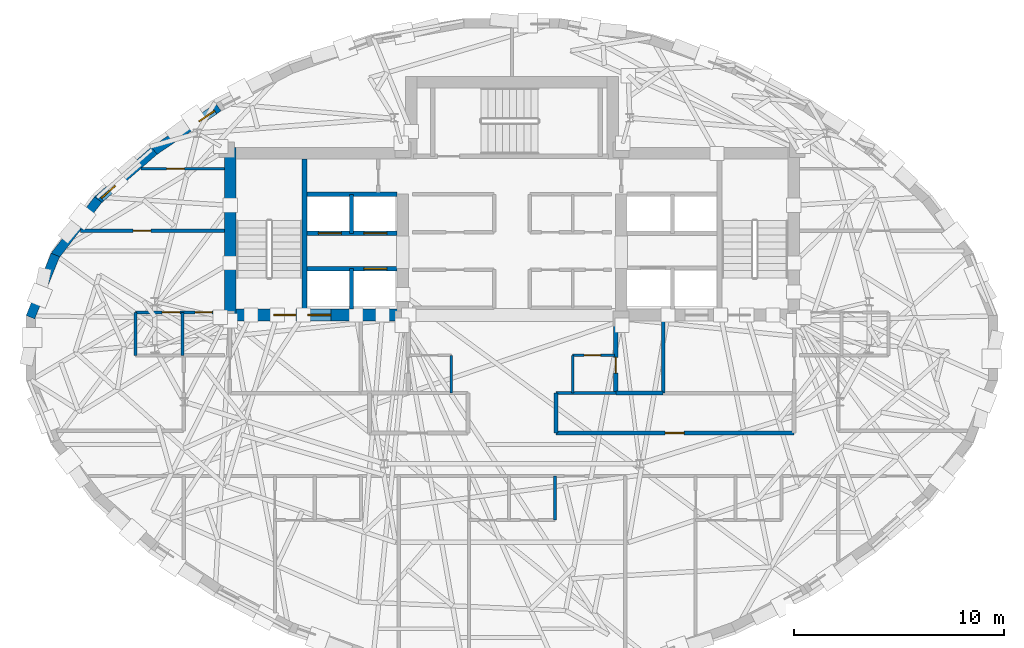
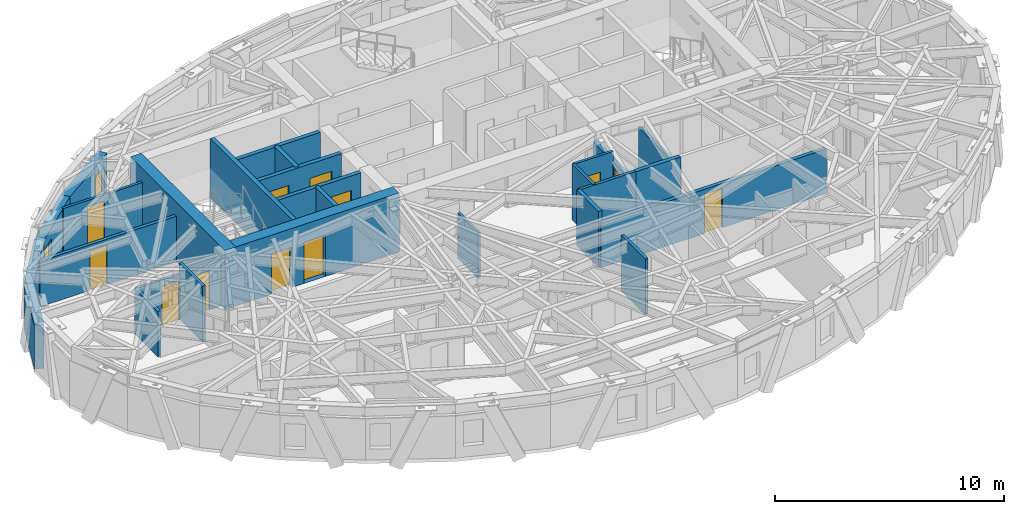
# One storey, part 7 of 13: 27 walls, 12 doors, 2 windows, 14 openings.
"""IFC4 building model written with IfcOpenShell, lengths in metres."""

import ifcopenshell
import ifcopenshell.guid

model = None  # the IFC model being written
_history = None  # IfcOwnerHistory: only IFC2X3 demands one
_inside = {}  # id of a spatial element -> (the spatial element, [elements in it])
_under = {}  # id of a project, library or spatial element -> (it, [spatial elements below it])
_declared = {}  # id of a project -> (the project, [libraries it declares])
_typed = {}  # id of a type object -> (the type object, [elements of that type])
_made_of = {}  # id of a material, layer set ... -> (it, [elements and type objects made of it])


def new_model(schema):
    """Start an empty IFC model of exactly this schema.

    Asked for "IFC4X3", IfcOpenShell would pick the latest addendum, in which some entities
    have other attributes; the version numbers below select the first issue.
    IFC2X3 requires an IfcOwnerHistory on every rooted entity: one is made here for all.
    """
    global model, _history
    if schema == "IFC4X3":
        model = ifcopenshell.file(schema_version=(4, 3, 0, 0))
    else:
        model = ifcopenshell.file(schema=schema)
    _inside.clear()
    _under.clear()
    _declared.clear()
    _typed.clear()
    _made_of.clear()
    _history = None
    if model.schema == "IFC2X3":
        org = make("IfcOrganization", Name="unknown")
        user = make(
            "IfcPersonAndOrganization",
            ThePerson=make("IfcPerson", FamilyName="unknown"),
            TheOrganization=org,
        )
        app = make(
            "IfcApplication",
            ApplicationDeveloper=org,
            Version="unknown",
            ApplicationFullName="unknown",
            ApplicationIdentifier="unknown",
        )
        _history = make(
            "IfcOwnerHistory",
            OwningUser=user,
            OwningApplication=app,
            ChangeAction="ADDED",
            CreationDate=0,
        )
    return model


def make(cls, **values):
    """One entity of the class cls with the attributes given. An attribute that is None is left unset."""
    return model.create_entity(
        cls, **{name: value for name, value in values.items() if value is not None}
    )


def rooted(cls, **values):
    """An entity with a GlobalId (a new one), such as an element, a storey or a relation."""
    return make(cls, GlobalId=ifcopenshell.guid.new(), OwnerHistory=_history, **values)


def si_unit(unit_type, name, prefix=None):
    """IfcSIUnit, for example si_unit("LENGTHUNIT", "METRE", prefix="MILLI")."""
    return make("IfcSIUnit", UnitType=unit_type, Prefix=prefix, Name=name)


def assignment(units):
    """IfcUnitAssignment: the units of a project."""
    return None if units is None else make("IfcUnitAssignment", Units=units)


def point(xyz):
    """IfcCartesianPoint."""
    return None if xyz is None else make("IfcCartesianPoint", Coordinates=xyz)


def direction(xyz):
    """IfcDirection."""
    return None if xyz is None else make("IfcDirection", DirectionRatios=xyz)


def frame(location, z_axis=None, x_axis=None):
    """IfcAxis2Placement3D, a coordinate frame: its origin and axes. An axis left out is left unset."""
    return make(
        "IfcAxis2Placement3D",
        Location=point(location),
        Axis=direction(z_axis),
        RefDirection=direction(x_axis),
    )


def frame_2d(location, x_axis=None):
    """IfcAxis2Placement2D, a coordinate frame in the plane: its origin and x axis."""
    return make(
        "IfcAxis2Placement2D", Location=point(location), RefDirection=direction(x_axis)
    )


def origin():
    """The frame at (0, 0, 0) with its axes left unset."""
    return frame((0.0, 0.0, 0.0))


def place(relative_to, where):
    """IfcLocalPlacement: puts the frame where relative to a parent placement (None: the world)."""
    return make(
        "IfcLocalPlacement", PlacementRelTo=relative_to, RelativePlacement=where
    )


def context(
    kind, dimensions, precision=None, world=None, true_north=None, identifier=None
):
    """IfcGeometricRepresentationContext, for example the 3D "Model" context."""
    return make(
        "IfcGeometricRepresentationContext",
        ContextIdentifier=identifier,
        ContextType=kind,
        CoordinateSpaceDimension=dimensions,
        Precision=precision,
        WorldCoordinateSystem=world,
        TrueNorth=true_north,
    )


def subcontext(parent, identifier, kind, view, scale=None):
    """IfcGeometricRepresentationSubContext, for example "Body" below "Model"."""
    return make(
        "IfcGeometricRepresentationSubContext",
        ContextIdentifier=identifier,
        ContextType=kind,
        ParentContext=parent,
        TargetScale=scale,
        TargetView=view,
    )


def project(units=None, contexts=None):
    """IfcProject with its units and contexts."""
    return rooted(
        "IfcProject",
        Name="project",
        RepresentationContexts=contexts,
        UnitsInContext=assignment(units),
    )


def spatial(cls, under=None, at=None, **own):
    """A site, building, storey or space (cls), placed at a placement, below another one or the project."""
    s = rooted(cls, ObjectPlacement=at, **own)
    if under is not None:
        _under.setdefault(under.id(), (under, []))[1].append(s)
    return s


def profile(cls, at=None, kind="AREA", **sizes):
    """A parametric profile (cls). Its sizes go by their IFC names, for example OverallWidth=200.0."""
    return make(cls, ProfileType=kind, Position=at, **sizes)


def rectangle(**sizes):
    """IfcRectangleProfileDef."""
    return profile("IfcRectangleProfileDef", **sizes)


def extrude(swept, where, along, depth):
    """IfcExtrudedAreaSolid: the profile swept, set in the frame where, extruded along a direction by depth."""
    return make(
        "IfcExtrudedAreaSolid",
        SweptArea=swept,
        Position=where,
        ExtrudedDirection=direction(along),
        Depth=depth,
    )


def shape(context_of_items, identifier, shape_type, items):
    """IfcShapeRepresentation: the items that make up one representation, for example the "Body"."""
    return make(
        "IfcShapeRepresentation",
        ContextOfItems=context_of_items,
        RepresentationIdentifier=identifier,
        RepresentationType=shape_type,
        Items=items,
    )


def material(Name=None, Category=None):
    """IfcMaterial."""
    return make("IfcMaterial", Name=Name, Category=Category)


def layer(
    of_material, thickness, ventilated=None, Name=None, Category=None, Priority=None
):
    """IfcMaterialLayer: one layer of a wall or slab, of a material (None: an air gap)."""
    return make(
        "IfcMaterialLayer",
        Material=of_material,
        LayerThickness=thickness,
        IsVentilated=ventilated,
        Name=Name,
        Category=Category,
        Priority=Priority,
    )


def layer_set(layers, Name=None):
    """IfcMaterialLayerSet."""
    return make("IfcMaterialLayerSet", MaterialLayers=layers, LayerSetName=Name)


def made_of(thing, what):
    """Note that an element or type object is made of a material, layer set ...; save() writes the relation."""
    if what is not None:
        _made_of.setdefault(what.id(), (what, []))[1].append(thing)
    return thing


def type_object(cls, material=None, **own):
    """A type object (cls), such as IfcWallType, which elements share."""
    return made_of(rooted(cls, **own), material)


def element(
    cls,
    number,
    at=None,
    inside=None,
    cuts=None,
    type_object=None,
    material=None,
    context=None,
    identifier="Body",
    shape_type=None,
    held_by="IfcProductDefinitionShape",
    body=None,
    shapes=None,
    **own,
):
    """One element of the class cls, such as IfcWall. Its Tag is "e" and its number.

    at: its placement. inside: the storey or other place that contains it. cuts: it is an
    opening in that element (IfcRelVoidsElement). A single representation is given by context,
    identifier, shape_type and body (its items); several are given by shapes. held_by: the class
    of the entity that holds the representations. save() writes the other relations.
    """
    e = rooted(cls, Tag="e%d" % number, ObjectPlacement=at, **own)
    if body is not None:
        shapes = [shape(context, identifier, shape_type, body)]
    if shapes is not None:
        e.Representation = make(held_by, Representations=shapes)
    if inside is not None:
        _inside.setdefault(inside.id(), (inside, []))[1].append(e)
    if cuts is not None:
        rooted(
            "IfcRelVoidsElement", RelatingBuildingElement=cuts, RelatedOpeningElement=e
        )
    if type_object is not None:
        _typed.setdefault(type_object.id(), (type_object, []))[1].append(e)
    return made_of(e, material)


def fill(opening, filler):
    """IfcRelFillsElement: the door or window that sits in an opening."""
    return rooted(
        "IfcRelFillsElement",
        RelatingOpeningElement=opening,
        RelatedBuildingElement=filler,
    )


def aggregate(whole, parts):
    """IfcRelAggregates: a whole, such as a stair, and the parts it consists of."""
    return rooted("IfcRelAggregates", RelatingObject=whole, RelatedObjects=parts)


def save(model, path):
    """Write the relations noted so far, then the file.

    IfcRelAggregates (storeys below a building ...), IfcRelContainedInSpatialStructure (elements
    in a storey), IfcRelDefinesByType, IfcRelAssociatesMaterial and IfcRelDeclares: one each for
    every whole, place, type object, material and project.
    """
    for whole, parts in _under.values():
        aggregate(whole, parts)
    for where, things in _inside.values():
        rooted(
            "IfcRelContainedInSpatialStructure",
            RelatedElements=things,
            RelatingStructure=where,
        )
    for kind, things in _typed.values():
        rooted("IfcRelDefinesByType", RelatedObjects=things, RelatingType=kind)
    for what, things in _made_of.values():
        rooted("IfcRelAssociatesMaterial", RelatedObjects=things, RelatingMaterial=what)
    for by, libraries in _declared.values():
        rooted("IfcRelDeclares", RelatingContext=by, RelatedDefinitions=libraries)
    model.write(path)


model = new_model("IFC4")

# Units and contexts
model_context = context("Model", 3, precision=1e-05, world=origin(), true_north=direction((0.0, 1.0)))
body_context = subcontext(model_context, "Body", "Model", "MODEL_VIEW")
ifc_project = project(units=[si_unit("LENGTHUNIT", "METRE"), si_unit("AREAUNIT", "SQUARE_METRE"), si_unit("VOLUMEUNIT", "CUBIC_METRE"), si_unit("PLANEANGLEUNIT", "RADIAN"), si_unit("MASSUNIT", "GRAM", prefix="KILO")], contexts=[model_context])

# Site, building, storey
site_placement = place(None, origin())
site = spatial("IfcSite", under=ifc_project, at=site_placement, CompositionType="ELEMENT")
building_placement = place(site_placement, origin())
building = spatial("IfcBuilding", under=site, at=building_placement, Name="Keldmark Tower", CompositionType="ELEMENT")
storey_placement = place(building_placement, frame((0.0, 0.0, 219.449951171875)))
storey = spatial("IfcBuildingStorey", under=building, at=storey_placement, Name="L61", CompositionType="ELEMENT", Elevation=219.449951171875)

# Wall, opening, door
ifc_material_1 = material(Name="Heavy Acoustic Plumbing Chase Gypsum Assembly", Category="gypsum")
ifc_layer_1 = layer(ifc_material_1, 0.18994140625)
ifc_layer_set_1 = layer_set([ifc_layer_1], Name="Heavy Acoustic Plumbing Chase Gypsum Assembly")
wall_type_1 = type_object("IfcWallType", Name="Heavy Wet Wall 190 mm", PredefinedType="PLUMBINGWALL", material=ifc_layer_set_1)
wall_1_placement = place(storey_placement, frame((2.10009765625, -4.050048828125, 0.0), z_axis=(0.0, 0.0, 1.0), x_axis=(1.0, 0.0, 0.0)))
wall_1 = element("IfcWall", 1, at=wall_1_placement, inside=storey, type_object=wall_type_1, Name="L61 Heavy Wet Wall 190 mm SPK-E-S", PredefinedType="PLUMBINGWALL", context=body_context, shape_type="SweptSolid", body=[
    extrude(rectangle(XDim=11.349853515625, YDim=0.18994140625, at=frame_2d((5.6748046875, 0.0))), origin(), (0.0, 0.0, 1.0), 2.35693359375),
])
opening_1_placement = place(wall_1_placement, frame((5.199951171875, 0.0, 0.0)))
opening_1 = element("IfcOpeningElement", 2, at=opening_1_placement, cuts=wall_1, Name="Opening D-IN090", PredefinedType="OPENING", context=body_context, shape_type="SweptSolid", body=[
    extrude(rectangle(XDim=0.89990234375, YDim=2.10009765625, at=frame_2d((0.449951171875, 1.050048828125))), frame((0.0, 0.10498046875, 0.0), z_axis=(0.0, -1.0, 0.0), x_axis=(1.0, 0.0, 0.0)), (0.0, 0.0, 1.0), 0.2099609375),
])
ifc_material_2 = material(Name="Stained American White Oak Veneer", Category="wood")
door_type_1 = type_object("IfcDoorType", Name="Interior Door 900x2100", OperationType="NOTDEFINED", PredefinedType="DOOR", material=ifc_material_2)
door_1_placement = place(opening_1_placement, origin())
door_1 = element("IfcDoor", 3, at=door_1_placement, inside=storey, type_object=door_type_1, Name="L61 Interior Door 900x2100 D-SPKE1-L61", OperationType="SINGLE_SWING_RIGHT", OverallHeight=2.10009765625, OverallWidth=0.89990234375, PredefinedType="DOOR", context=body_context, shape_type="SweptSolid", body=[
    extrude(rectangle(XDim=0.89990234375, YDim=2.10009765625, at=frame_2d((0.449951171875, 1.050048828125))), frame((0.0, 0.02490234375, 0.0), z_axis=(0.0, -1.0, 0.0), x_axis=(1.0, 0.0, 0.0)), (0.0, 0.0, 1.0), 0.050048828125),
])
fill(opening_1, door_1)

# Walls
wall_2_placement = place(storey_placement, frame((2.10009765625, -4.050048828125, 0.0), z_axis=(0.0, 0.0, 1.0), x_axis=(0.0, 1.0, 0.0)))
element("IfcWall", 4, at=wall_2_placement, inside=storey, type_object=wall_type_1, Name="L61 Heavy Wet Wall 190 mm SPK-E-W", PredefinedType="PLUMBINGWALL", context=body_context, shape_type="SweptSolid", body=[
    extrude(rectangle(XDim=1.900146484375, YDim=0.18994140625, at=frame_2d((0.9501953125, 0.0))), origin(), (0.0, 0.0, 1.0), 2.969970703125),
])
ifc_material_3 = material(Name="Concrete C50/60", Category="concrete")
ifc_layer_2 = layer(ifc_material_3, 0.550048828125)
ifc_layer_set_2 = layer_set([ifc_layer_2], Name="Concrete C50/60")
wall_type_2 = type_object("IfcWallType", Name="High-Rise Core Shear Wall 550 mm", PredefinedType="SHEAR", material=ifc_layer_set_2)
wall_3_placement = place(storey_placement, frame((-13.425048828125, 1.300048828125, 0.0), z_axis=(0.0, 0.0, 1.0), x_axis=(0.0, 1.0, 0.0)))
element("IfcWall", 5, at=wall_3_placement, inside=storey, type_object=wall_type_2, Name="L61 West Core Outer Shear Wall", PredefinedType="SHEAR", context=body_context, shape_type="SweptSolid", body=[
    extrude(rectangle(XDim=8.25, YDim=0.550048828125, at=frame_2d((4.125, 0.0))), origin(), (0.0, 0.0, 1.0), 3.150146484375),
])

# Wall, openings, doors
wall_4_placement = place(storey_placement, frame((-4.925048828125, 1.574951171875, 0.0), z_axis=(0.0, 0.0, 1.0), x_axis=(-1.0, 0.0, 0.0)))
wall_4 = element("IfcWall", 6, at=wall_4_placement, inside=storey, type_object=wall_type_2, Name="L61 West Core South Shear Wall", PredefinedType="SHEAR", context=body_context, shape_type="SweptSolid", body=[
    extrude(rectangle(XDim=8.77490234375, YDim=0.550048828125, at=frame_2d((4.387451171875, 0.0))), origin(), (0.0, 0.0, 1.0), 3.150146484375),
])
opening_2_placement = place(wall_4_placement, frame((5.375, 0.0, 0.0)))
opening_2 = element("IfcOpeningElement", 7, at=opening_2_placement, cuts=wall_4, Name="Opening D-ST105", PredefinedType="OPENING", context=body_context, shape_type="SweptSolid", body=[
    extrude(rectangle(XDim=1.050048828125, YDim=2.14990234375, at=frame_2d((0.52490234375, 1.074951171875))), frame((0.0, 0.284912109375, 0.0), z_axis=(0.0, -1.0, 0.0), x_axis=(1.0, 0.0, 0.0)), (0.0, 0.0, 1.0), 0.570068359375),
])
opening_3_placement = place(wall_4_placement, frame((3.705078125, 0.0, 0.0)))
opening_3 = element("IfcOpeningElement", 8, at=opening_3_placement, cuts=wall_4, Name="Opening LD-110", PredefinedType="OPENING", context=body_context, shape_type="SweptSolid", body=[
    extrude(rectangle(XDim=1.10009765625, YDim=2.199951171875, at=frame_2d((0.550048828125, 1.10009765625))), frame((0.0, 0.284912109375, 0.0), z_axis=(0.0, -1.0, 0.0), x_axis=(1.0, 0.0, 0.0)), (0.0, 0.0, 1.0), 0.570068359375),
])
ifc_material_4 = material(Name="Brushed Bronze Hoistway Sliding Leaf", Category="metal")
door_type_2 = type_object("IfcDoorType", Name="Lift Landing Sliding Door 1100x2200", OperationType="SLIDING_TO_LEFT", PredefinedType="DOOR", material=ifc_material_4)
door_2_placement = place(opening_3_placement, origin())
door_2 = element("IfcDoor", 9, at=door_2_placement, inside=storey, type_object=door_type_2, Name="L61 Lift Landing Sliding Door 1100x2200 LD-EL-FS1-L61", OperationType="SLIDING_TO_LEFT", OverallHeight=2.199951171875, OverallWidth=1.10009765625, PredefinedType="DOOR", context=body_context, shape_type="SweptSolid", body=[
    extrude(rectangle(XDim=1.10009765625, YDim=2.199951171875, at=frame_2d((0.550048828125, 1.10009765625))), frame((0.0, 0.02490234375, 0.0), z_axis=(0.0, -1.0, 0.0), x_axis=(1.0, 0.0, 0.0)), (0.0, 0.0, 1.0), 0.050048828125),
])
fill(opening_3, door_2)
ifc_material_5 = material(Name="Hollow Metal Fire-Rated Door Assembly", Category="metal")
door_type_3 = type_object("IfcDoorType", Name="Stair Fire Door 1050x2150", OperationType="NOTDEFINED", PredefinedType="DOOR", material=ifc_material_5)
door_3_placement = place(opening_2_placement, origin())
door_3 = element("IfcDoor", 10, at=door_3_placement, inside=storey, type_object=door_type_3, Name="L61 Stair Fire Door 1050x2150 D-ST1-L61", OperationType="SINGLE_SWING_RIGHT", OverallHeight=2.14990234375, OverallWidth=1.050048828125, PredefinedType="DOOR", context=body_context, shape_type="SweptSolid", body=[
    extrude(rectangle(XDim=1.050048828125, YDim=2.14990234375, at=frame_2d((0.52490234375, 1.074951171875))), frame((0.0, 0.02490234375, 0.0), z_axis=(0.0, -1.0, 0.0), x_axis=(1.0, 0.0, 0.0)), (0.0, 0.0, 1.0), 0.050048828125),
])
fill(opening_2, door_3)

# Wall
ifc_material_6 = material(Name="Acoustic Gypsum Board Interior Partition", Category="gypsum")
ifc_layer_3 = layer(ifc_material_6, 0.1298828125)
ifc_layer_set_3 = layer_set([ifc_layer_3], Name="Acoustic Gypsum Board Interior Partition")
wall_type_3 = type_object("IfcWallType", Name="Interior Partition 130 mm", PredefinedType="PARTITIONING", material=ifc_layer_set_3)
wall_5_placement = place(storey_placement, frame((-2.889892578125, -2.14990234375, 0.0), z_axis=(0.0, 0.0, 1.0), x_axis=(0.0, 1.0, 0.0)))
element("IfcWall", 11, at=wall_5_placement, inside=storey, type_object=wall_type_3, Name="L61 Interior Partition 130 mm CSC-W-E", PredefinedType="PARTITIONING", context=body_context, shape_type="SweptSolid", body=[
    extrude(rectangle(XDim=1.7998046875, YDim=0.1298828125, at=frame_2d((0.89990234375, 0.0))), origin(), (0.0, 0.0, 1.0), 2.423095703125),
])

# Wall, opening, door
wall_6_placement = place(storey_placement, frame((2.889892578125, -0.35009765625, 0.0), z_axis=(0.0, 0.0, 1.0), x_axis=(1.0, 0.0, 0.0)))
wall_6 = element("IfcWall", 12, at=wall_6_placement, inside=storey, type_object=wall_type_3, Name="L61 Interior Partition 130 mm CSC-E-N", PredefinedType="PARTITIONING", context=body_context, shape_type="SweptSolid", body=[
    extrude(rectangle(XDim=1.989990234375, YDim=0.1298828125, at=frame_2d((0.9951171875, 0.0))), origin(), (0.0, 0.0, 1.0), 2.969970703125),
])
opening_4_placement = place(wall_6_placement, frame((0.550048828125, 0.0, 0.0)))
opening_4 = element("IfcOpeningElement", 13, at=opening_4_placement, cuts=wall_6, Name="Opening D-CL078", PredefinedType="OPENING", context=body_context, shape_type="SweptSolid", body=[
    extrude(rectangle(XDim=0.780029296875, YDim=2.10009765625, at=frame_2d((0.39013671875, 1.050048828125))), frame((0.0, 0.074951171875, 0.0), z_axis=(0.0, -1.0, 0.0), x_axis=(1.0, 0.0, 0.0)), (0.0, 0.0, 1.0), 0.14990234375),
])
ifc_material_7 = material(Name="Flush Utility Closet Timber Door", Category="wood")
door_type_4 = type_object("IfcDoorType", Name="Closet Door 780x2100", OperationType="NOTDEFINED", PredefinedType="DOOR", material=ifc_material_7)
door_4_placement = place(opening_4_placement, origin())
door_4 = element("IfcDoor", 14, at=door_4_placement, inside=storey, type_object=door_type_4, Name="L61 Closet Door 780x2100 D-CSCE1-L61", OperationType="SINGLE_SWING_RIGHT", OverallHeight=2.10009765625, OverallWidth=0.780029296875, PredefinedType="DOOR", context=body_context, shape_type="SweptSolid", body=[
    extrude(rectangle(XDim=0.780029296875, YDim=2.10009765625, at=frame_2d((0.39013671875, 1.050048828125))), frame((0.0, 0.02490234375, 0.0), z_axis=(0.0, -1.0, 0.0), x_axis=(1.0, 0.0, 0.0)), (0.0, 0.0, 1.0), 0.050048828125),
])
fill(opening_4, door_4)

# Wall
wall_7_placement = place(storey_placement, frame((2.889892578125, -2.14990234375, 0.0), z_axis=(0.0, 0.0, 1.0), x_axis=(0.0, 1.0, 0.0)))
element("IfcWall", 15, at=wall_7_placement, inside=storey, type_object=wall_type_3, Name="L61 Interior Partition 130 mm CSC-E-W", PredefinedType="PARTITIONING", context=body_context, shape_type="SweptSolid", body=[
    extrude(rectangle(XDim=1.7998046875, YDim=0.1298828125, at=frame_2d((0.89990234375, 0.0))), origin(), (0.0, 0.0, 1.0), 2.969970703125),
])

# Wall, opening, door
wall_8_placement = place(storey_placement, frame((-17.6875, 8.550048828125, 0.0), z_axis=(0.0, 0.0, 1.0), x_axis=(1.0, 0.0, 0.0)))
wall_8 = element("IfcWall", 16, at=wall_8_placement, inside=storey, type_object=wall_type_3, Name="L61 Interior Partition 130 mm UD-NDIV2", PredefinedType="PARTITIONING", context=body_context, shape_type="SweptSolid", body=[
    extrude(rectangle(XDim=3.987548828125, YDim=0.1298828125, at=frame_2d((1.99365234375, 0.0))), origin(), (0.0, 0.0, 1.0), 2.423095703125),
])
opening_5_placement = place(wall_8_placement, frame((1.220703125, 0.0, 0.0)))
opening_5 = element("IfcOpeningElement", 17, at=opening_5_placement, cuts=wall_8, Name="Opening D-IN085", PredefinedType="OPENING", context=body_context, shape_type="SweptSolid", body=[
    extrude(rectangle(XDim=0.85009765625, YDim=2.10009765625, at=frame_2d((0.425048828125, 1.050048828125))), frame((0.0, 0.074951171875, 0.0), z_axis=(0.0, -1.0, 0.0), x_axis=(1.0, 0.0, 0.0)), (0.0, 0.0, 1.0), 0.14990234375),
])
ifc_material_8 = material(Name="Painted Architectural Wood", Category="wood")
door_type_5 = type_object("IfcDoorType", Name="Interior Door 850x2100", OperationType="NOTDEFINED", PredefinedType="DOOR", material=ifc_material_8)
door_5_placement = place(opening_5_placement, origin())
door_5 = element("IfcDoor", 18, at=door_5_placement, inside=storey, type_object=door_type_5, Name="L61 Interior Door 850x2100 D-UD-BR2-L61", OperationType="SINGLE_SWING_RIGHT", OverallHeight=2.10009765625, OverallWidth=0.85009765625, PredefinedType="DOOR", context=body_context, shape_type="SweptSolid", body=[
    extrude(rectangle(XDim=0.85009765625, YDim=2.10009765625, at=frame_2d((0.425048828125, 1.050048828125))), frame((0.0, 0.02490234375, 0.0), z_axis=(0.0, -1.0, 0.0), x_axis=(1.0, 0.0, 0.0)), (0.0, 0.0, 1.0), 0.050048828125),
])
fill(opening_5, door_5)

# Wall
ifc_material_9 = material(Name="Type X Fire-Rated Gypsum Partition Assembly", Category="gypsum")
ifc_layer_4 = layer(ifc_material_9, 0.1650390625)
ifc_layer_set_4 = layer_set([ifc_layer_4], Name="Type X Fire-Rated Gypsum Partition Assembly")
wall_type_4 = type_object("IfcWallType", Name="Rated Partition 165 mm", PredefinedType="PARTITIONING", material=ifc_layer_set_4)
wall_9_placement = place(storey_placement, frame((7.199951171875, -2.14990234375, 0.0), z_axis=(0.0, 0.0, 1.0), x_axis=(0.0, 1.0, 0.0)))
element("IfcWall", 19, at=wall_9_placement, inside=storey, type_object=wall_type_4, Name="L61 Rated Partition 165 mm FSAE-E-W", PredefinedType="PARTITIONING", context=body_context, shape_type="SweptSolid", body=[
    extrude(rectangle(XDim=3.5, YDim=0.1650390625, at=frame_2d((1.75, 0.0))), origin(), (0.0, 0.0, 1.0), 2.423095703125),
])

# Wall, opening, door
wall_10_placement = place(storey_placement, frame((-20.573486328125, 5.60009765625, 0.0), z_axis=(0.0, 0.0, 1.0), x_axis=(1.0, 0.0, 0.0)))
wall_10 = element("IfcWall", 20, at=wall_10_placement, inside=storey, type_object=wall_type_4, Name="L61 Rated Partition 165 mm RW-NDIV", PredefinedType="PARTITIONING", context=body_context, shape_type="SweptSolid", body=[
    extrude(rectangle(XDim=6.87353515625, YDim=0.1650390625, at=frame_2d((3.436767578125, 0.0))), origin(), (0.0, 0.0, 1.0), 2.423095703125),
])
opening_6_placement = place(wall_10_placement, frame((2.514404296875, 0.0, 0.0)))
opening_6 = element("IfcOpeningElement", 21, at=opening_6_placement, cuts=wall_10, Name="Opening D-BR085", PredefinedType="OPENING", context=body_context, shape_type="SweptSolid", body=[
    extrude(rectangle(XDim=0.85009765625, YDim=2.10009765625, at=frame_2d((0.425048828125, 1.050048828125))), frame((0.0, 0.092529296875, 0.0), z_axis=(0.0, -1.0, 0.0), x_axis=(1.0, 0.0, 0.0)), (0.0, 0.0, 1.0), 0.18505859375),
])
ifc_material_10 = material(Name="Solid-Core Stained Walnut Wood", Category="wood")
door_type_6 = type_object("IfcDoorType", Name="Bedroom Door 850x2100", OperationType="NOTDEFINED", PredefinedType="DOOR", material=ifc_material_10)
door_6_placement = place(opening_6_placement, origin())
door_6 = element("IfcDoor", 22, at=door_6_placement, inside=storey, type_object=door_type_6, Name="L61 Bedroom Door 850x2100 D-UD-BR1-L61", OperationType="SINGLE_SWING_LEFT", OverallHeight=2.10009765625, OverallWidth=0.85009765625, PredefinedType="DOOR", context=body_context, shape_type="SweptSolid", body=[
    extrude(rectangle(XDim=0.85009765625, YDim=2.10009765625, at=frame_2d((0.425048828125, 1.050048828125))), frame((0.0, 0.02490234375, 0.0), z_axis=(0.0, -1.0, 0.0), x_axis=(1.0, 0.0, 0.0)), (0.0, 0.0, 1.0), 0.050048828125),
])
fill(opening_6, door_6)

# Wall
ifc_material_11 = material(Name="Fire-Resistant Type X Gypsum Shaftliner Coreboard", Category="gypsum")
ifc_layer_5 = layer(ifc_material_11, 0.199951171875)
ifc_layer_set_5 = layer_set([ifc_layer_5], Name="Fire-Resistant Type X Gypsum Shaftliner Coreboard")
wall_type_5 = type_object("IfcWallType", Name="Shaft Wall 200 mm", PredefinedType="SOLIDWALL", material=ifc_layer_set_5)
wall_11_placement = place(storey_placement, frame((4.949951171875, -2.14990234375, 0.0), z_axis=(0.0, 0.0, 1.0), x_axis=(1.0, 0.0, 0.0)))
element("IfcWall", 23, at=wall_11_placement, inside=storey, type_object=wall_type_5, Name="L61 Shaft Wall 200 mm RIS-SE-S", PredefinedType="SOLIDWALL", context=body_context, shape_type="SweptSolid", body=[
    extrude(rectangle(XDim=2.25, YDim=0.199951171875, at=frame_2d((1.125, 0.0))), origin(), (0.0, 0.0, 1.0), 2.969970703125),
])

# Wall, opening, door
wall_12_placement = place(storey_placement, frame((4.949951171875, -2.14990234375, 0.0), z_axis=(0.0, 0.0, 1.0), x_axis=(0.0, 1.0, 0.0)))
wall_12 = element("IfcWall", 24, at=wall_12_placement, inside=storey, type_object=wall_type_5, Name="L61 Shaft Wall 200 mm RIS-SE-W", PredefinedType="SOLIDWALL", context=body_context, shape_type="SweptSolid", body=[
    extrude(rectangle(XDim=3.5, YDim=0.199951171875, at=frame_2d((1.75, 0.0))), origin(), (0.0, 0.0, 1.0), 2.423095703125),
])
opening_7_placement = place(wall_12_placement, frame((0.949951171875, 0.0, 0.0)))
opening_7 = element("IfcOpeningElement", 25, at=opening_7_placement, cuts=wall_12, Name="Opening D-RS075", PredefinedType="OPENING", context=body_context, shape_type="SweptSolid", body=[
    extrude(rectangle(XDim=0.75, YDim=2.10009765625, at=frame_2d((0.375, 1.050048828125))), frame((0.0, 0.10986328125, 0.0), z_axis=(0.0, -1.0, 0.0), x_axis=(1.0, 0.0, 0.0)), (0.0, 0.0, 1.0), 0.219970703125),
])
ifc_material_12 = material(Name="Galvanized Fire-Rated Access Leaf", Category="metal")
door_type_7 = type_object("IfcDoorType", Name="Riser Access Door 750x2100", OperationType="NOTDEFINED", PredefinedType="DOOR", material=ifc_material_12)
door_7_placement = place(opening_7_placement, origin())
door_7 = element("IfcDoor", 26, at=door_7_placement, inside=storey, type_object=door_type_7, Name="L61 Riser Access Door 750x2100 D-RISSE-L61", OperationType="SINGLE_SWING_LEFT", OverallHeight=2.10009765625, OverallWidth=0.75, PredefinedType="DOOR", context=body_context, shape_type="SweptSolid", body=[
    extrude(rectangle(XDim=0.75, YDim=2.10009765625, at=frame_2d((0.375, 1.050048828125))), frame((0.0, 0.02490234375, 0.0), z_axis=(0.0, -1.0, 0.0), x_axis=(1.0, 0.0, 0.0)), (0.0, 0.0, 1.0), 0.050048828125),
])
fill(opening_7, door_7)

wall_13_placement = place(storey_placement, frame((-9.780029296875, 3.780029296875, 0.0), z_axis=(0.0, 0.0, 1.0), x_axis=(1.0, 0.0, 0.0)))
wall_13 = element("IfcWall", 27, at=wall_13_placement, inside=storey, type_object=wall_type_5, Name="L61 Shaft Wall 200 mm HW-W-S", PredefinedType="SOLIDWALL", context=body_context, shape_type="SweptSolid", body=[
    extrude(rectangle(XDim=4.304931640625, YDim=0.199951171875, at=frame_2d((2.15234375, 0.0))), origin(), (0.0, 0.0, 1.0), 2.969970703125),
])
opening_8_placement = place(wall_13_placement, frame((2.719970703125, 0.0, 0.0)))
opening_8 = element("IfcOpeningElement", 28, at=opening_8_placement, cuts=wall_13, Name="Opening LD-110", PredefinedType="OPENING", context=body_context, shape_type="SweptSolid", body=[
    extrude(rectangle(XDim=1.10009765625, YDim=2.199951171875, at=frame_2d((0.550048828125, 1.10009765625))), frame((0.0, 0.10986328125, 0.0), z_axis=(0.0, -1.0, 0.0), x_axis=(1.0, 0.0, 0.0)), (0.0, 0.0, 1.0), 0.219970703125),
])
door_8_placement = place(opening_8_placement, origin())
door_8 = element("IfcDoor", 29, at=door_8_placement, inside=storey, type_object=door_type_2, Name="L61 Lift Landing Sliding Door 1100x2200 LD-EL-H3-L61", OperationType="SLIDING_TO_LEFT", OverallHeight=2.199951171875, OverallWidth=1.10009765625, PredefinedType="DOOR", context=body_context, shape_type="SweptSolid", body=[
    extrude(rectangle(XDim=1.10009765625, YDim=2.199951171875, at=frame_2d((0.550048828125, 1.10009765625))), frame((0.0, 0.02490234375, 0.0), z_axis=(0.0, -1.0, 0.0), x_axis=(1.0, 0.0, 0.0)), (0.0, 0.0, 1.0), 0.050048828125),
])
fill(opening_8, door_8)

# Wall
wall_14_placement = place(storey_placement, frame((-7.64990234375, 1.85009765625, 0.0), z_axis=(0.0, 0.0, 1.0), x_axis=(0.0, 1.0, 0.0)))
element("IfcWall", 30, at=wall_14_placement, inside=storey, type_object=wall_type_5, Name="L61 Shaft Wall 200 mm HW-W-M", PredefinedType="SOLIDWALL", context=body_context, shape_type="SweptSolid", body=[
    extrude(rectangle(XDim=1.929931640625, YDim=0.199951171875, at=frame_2d((0.96484375, 0.0))), origin(), (0.0, 0.0, 1.0), 2.969970703125),
])

# Wall, openings, doors
wall_15_placement = place(storey_placement, frame((-9.780029296875, 5.469970703125, 0.0), z_axis=(0.0, 0.0, 1.0), x_axis=(1.0, 0.0, 0.0)))
wall_15 = element("IfcWall", 31, at=wall_15_placement, inside=storey, type_object=wall_type_5, Name="L61 Shaft Wall 200 mm HW-W-N", PredefinedType="SOLIDWALL", context=body_context, shape_type="SweptSolid", body=[
    extrude(rectangle(XDim=4.304931640625, YDim=0.199951171875, at=frame_2d((2.15234375, 0.0))), origin(), (0.0, 0.0, 1.0), 2.969970703125),
])
opening_9_placement = place(wall_15_placement, frame((0.550048828125, 0.0, 0.0)))
opening_9 = element("IfcOpeningElement", 32, at=opening_9_placement, cuts=wall_15, Name="Opening LD-110", PredefinedType="OPENING", context=body_context, shape_type="SweptSolid", body=[
    extrude(rectangle(XDim=1.10009765625, YDim=2.199951171875, at=frame_2d((0.550048828125, 1.10009765625))), frame((0.0, 0.10986328125, 0.0), z_axis=(0.0, -1.0, 0.0), x_axis=(1.0, 0.0, 0.0)), (0.0, 0.0, 1.0), 0.219970703125),
])
opening_10_placement = place(wall_15_placement, frame((2.719970703125, 0.0, 0.0)))
opening_10 = element("IfcOpeningElement", 33, at=opening_10_placement, cuts=wall_15, Name="Opening LD-110", PredefinedType="OPENING", context=body_context, shape_type="SweptSolid", body=[
    extrude(rectangle(XDim=1.10009765625, YDim=2.199951171875, at=frame_2d((0.550048828125, 1.10009765625))), frame((0.0, 0.10986328125, 0.0), z_axis=(0.0, -1.0, 0.0), x_axis=(1.0, 0.0, 0.0)), (0.0, 0.0, 1.0), 0.219970703125),
])
door_9_placement = place(opening_9_placement, origin())
door_9 = element("IfcDoor", 34, at=door_9_placement, inside=storey, type_object=door_type_2, Name="L61 Lift Landing Sliding Door 1100x2200 LD-EL-H1-L61", OperationType="SLIDING_TO_LEFT", OverallHeight=2.199951171875, OverallWidth=1.10009765625, PredefinedType="DOOR", context=body_context, shape_type="SweptSolid", body=[
    extrude(rectangle(XDim=1.10009765625, YDim=2.199951171875, at=frame_2d((0.550048828125, 1.10009765625))), frame((0.0, 0.02490234375, 0.0), z_axis=(0.0, -1.0, 0.0), x_axis=(1.0, 0.0, 0.0)), (0.0, 0.0, 1.0), 0.050048828125),
])
fill(opening_9, door_9)
door_10_placement = place(opening_10_placement, origin())
door_10 = element("IfcDoor", 35, at=door_10_placement, inside=storey, type_object=door_type_2, Name="L61 Lift Landing Sliding Door 1100x2200 LD-EL-H2-L61", OperationType="SLIDING_TO_LEFT", OverallHeight=2.199951171875, OverallWidth=1.10009765625, PredefinedType="DOOR", context=body_context, shape_type="SweptSolid", body=[
    extrude(rectangle(XDim=1.10009765625, YDim=2.199951171875, at=frame_2d((0.550048828125, 1.10009765625))), frame((0.0, 0.02490234375, 0.0), z_axis=(0.0, -1.0, 0.0), x_axis=(1.0, 0.0, 0.0)), (0.0, 0.0, 1.0), 0.050048828125),
])
fill(opening_10, door_10)

# Walls
wall_16_placement = place(storey_placement, frame((-9.780029296875, 7.330078125, 0.0), z_axis=(0.0, 0.0, 1.0), x_axis=(1.0, 0.0, 0.0)))
element("IfcWall", 36, at=wall_16_placement, inside=storey, type_object=wall_type_5, Name="L61 Shaft Wall 200 mm HW-W-TOP", PredefinedType="SOLIDWALL", context=body_context, shape_type="SweptSolid", body=[
    extrude(rectangle(XDim=4.304931640625, YDim=0.199951171875, at=frame_2d((2.15234375, 0.0))), origin(), (0.0, 0.0, 1.0), 2.969970703125),
])
wall_17_placement = place(storey_placement, frame((-7.64990234375, 5.469970703125, 0.0), z_axis=(0.0, 0.0, 1.0), x_axis=(0.0, 1.0, 0.0)))
element("IfcWall", 37, at=wall_17_placement, inside=storey, type_object=wall_type_5, Name="L61 Shaft Wall 200 mm HW-W-NM", PredefinedType="SOLIDWALL", context=body_context, shape_type="SweptSolid", body=[
    extrude(rectangle(XDim=1.860107421875, YDim=0.199951171875, at=frame_2d((0.93017578125, 0.0))), origin(), (0.0, 0.0, 1.0), 2.969970703125),
])
ifc_material_13 = material(Name="Concrete C50/60", Category="concrete")
ifc_layer_6 = layer(ifc_material_13, 0.219970703125)
ifc_layer_set_6 = layer_set([ifc_layer_6], Name="Concrete C50/60")
wall_type_6 = type_object("IfcWallType", Name="Stair Core Shear Wall 220 mm", PredefinedType="SHEAR", material=ifc_layer_set_6)
wall_18_placement = place(storey_placement, frame((-9.889892578125, 1.85009765625, 0.0), z_axis=(0.0, 0.0, 1.0), x_axis=(0.0, 1.0, 0.0)))
element("IfcWall", 38, at=wall_18_placement, inside=storey, type_object=wall_type_6, Name="L61 West Stair Core Shear Wall", PredefinedType="SHEAR", context=body_context, shape_type="SweptSolid", body=[
    extrude(rectangle(XDim=7.14990234375, YDim=0.219970703125, at=frame_2d((3.574951171875, 0.0))), origin(), (0.0, 0.0, 1.0), 3.150146484375),
])

# Wall, opening, window
ifc_material_14 = material(Name="Ironspot Manganese Brick and Kasota Buff Limestone Spandrel Assembly", Category="masonry")
ifc_layer_7 = layer(ifc_material_14, 0.43994140625)
ifc_layer_set_7 = layer_set([ifc_layer_7], Name="Ironspot Manganese Brick and Kasota Buff Limestone Spandrel Assembly")
wall_type_7 = type_object("IfcWallType", Name="Tower Brick Pier and Spandrel Wall 440 mm", PredefinedType="STANDARD", material=ifc_layer_set_7)
wall_19_placement = place(storey_placement, frame((-17.0751953125, 9.390380859375, 0.0), z_axis=(0.0, 0.0, 1.0), x_axis=(0.827609463482, 0.56130435234, 0.0)))
wall_19 = element("IfcWall", 39, at=wall_19_placement, inside=storey, type_object=wall_type_7, Name="L61 Exterior Brick and Spandrel Wall 12", PredefinedType="STANDARD", context=body_context, shape_type="SweptSolid", body=[
    extrude(rectangle(XDim=3.7265625, YDim=0.43994140625, at=frame_2d((1.86328125, 0.0))), origin(), (0.0, 0.0, 1.0), 2.3359375),
])
opening_11_placement = place(wall_19_placement, frame((2.576904296875, 0.0, 0.419921875)))
opening_11 = element("IfcOpeningElement", 40, at=opening_11_placement, cuts=wall_19, Name="Opening W-09", PredefinedType="OPENING", context=body_context, shape_type="SweptSolid", body=[
    extrude(rectangle(XDim=0.89990234375, YDim=1.35009765625, at=frame_2d((0.449951171875, 0.675048828125))), frame((0.0, 0.22998046875, 0.0), z_axis=(0.0, -1.0, 0.0), x_axis=(1.0, 0.0, 0.0)), (0.0, 0.0, 1.0), 0.4599609375),
])
ifc_material_15 = material(Name="Thermally Broken Anodized Aluminum and Triple Low-E Argon Glazing", Category="aluminium")
window_type = type_object("IfcWindowType", Name="Corner Pier Deep-Set Window 900x1350", PartitioningType="SINGLE_PANEL", PredefinedType="WINDOW", material=ifc_material_15)
window_1_placement = place(opening_11_placement, origin())
window_1 = element("IfcWindow", 41, at=window_1_placement, inside=storey, type_object=window_type, Name="L61 Deep-Set Window 12", OverallHeight=1.35009765625, OverallWidth=0.89990234375, PartitioningType="SINGLE_PANEL", PredefinedType="WINDOW", context=body_context, shape_type="SweptSolid", body=[
    extrude(rectangle(XDim=0.89990234375, YDim=1.35009765625, at=frame_2d((0.449951171875, 0.675048828125))), frame((0.0, -0.010009765625, 0.0), z_axis=(0.0, -1.0, 0.0), x_axis=(1.0, 0.0, 0.0)), (0.0, 0.0, 1.0), 0.06005859375),
])
fill(opening_11, window_1)

wall_20_placement = place(storey_placement, frame((-19.752197265625, 7.047119140625, 0.0), z_axis=(0.0, 0.0, 1.0), x_axis=(0.752758077019, 0.658297256172, 0.0)))
wall_20 = element("IfcWall", 42, at=wall_20_placement, inside=storey, type_object=wall_type_7, Name="L61 Exterior Brick and Spandrel Wall 13", PredefinedType="STANDARD", context=body_context, shape_type="SweptSolid", body=[
    extrude(rectangle(XDim=3.584716796875, YDim=0.43994140625, at=frame_2d((1.79248046875, 0.0))), origin(), (0.0, 0.0, 1.0), 2.3359375),
])
opening_12_placement = place(wall_20_placement, frame((0.189208984375, 0.0, 0.419921875)))
opening_12 = element("IfcOpeningElement", 43, at=opening_12_placement, cuts=wall_20, Name="Opening W-09", PredefinedType="OPENING", context=body_context, shape_type="SweptSolid", body=[
    extrude(rectangle(XDim=0.89990234375, YDim=1.35009765625, at=frame_2d((0.449951171875, 0.675048828125))), frame((0.0, 0.22998046875, 0.0), z_axis=(0.0, -1.0, 0.0), x_axis=(1.0, 0.0, 0.0)), (0.0, 0.0, 1.0), 0.4599609375),
])
window_2_placement = place(opening_12_placement, origin())
window_2 = element("IfcWindow", 44, at=window_2_placement, inside=storey, type_object=window_type, Name="L61 Pier Window RM01", OverallHeight=1.35009765625, OverallWidth=0.89990234375, PartitioningType="SINGLE_PANEL", PredefinedType="WINDOW", context=body_context, shape_type="SweptSolid", body=[
    extrude(rectangle(XDim=0.89990234375, YDim=1.35009765625, at=frame_2d((0.449951171875, 0.675048828125))), frame((0.0, -0.010009765625, 0.0), z_axis=(0.0, -1.0, 0.0), x_axis=(1.0, 0.0, 0.0)), (0.0, 0.0, 1.0), 0.06005859375),
])
fill(opening_12, window_2)

# Walls
wall_21_placement = place(storey_placement, frame((-21.796142578125, 4.3857421875, 0.0), z_axis=(0.0, 0.0, 1.0), x_axis=(0.61008909013, 0.792332822811, 0.0)))
element("IfcWall", 45, at=wall_21_placement, inside=storey, type_object=wall_type_7, Name="L61 Exterior Brick and Spandrel Wall 14", PredefinedType="STANDARD", context=body_context, shape_type="SweptSolid", body=[
    extrude(rectangle(XDim=3.398681640625, YDim=0.43994140625, at=frame_2d((1.69921875, 0.0))), origin(), (0.0, 0.0, 1.0), 2.3359375),
])
wall_22_placement = place(storey_placement, frame((-22.954833984375, 1.46533203125, 0.0), z_axis=(0.0, 0.0, 1.0), x_axis=(0.371272350835, 0.928524012347, 0.0)))
element("IfcWall", 46, at=wall_22_placement, inside=storey, type_object=wall_type_7, Name="L61 Exterior Brick and Spandrel Wall 15", PredefinedType="STANDARD", context=body_context, shape_type="SweptSolid", body=[
    extrude(rectangle(XDim=3.20166015625, YDim=0.43994140625, at=frame_2d((1.600830078125, 0.0))), origin(), (0.0, 0.0, 1.0), 2.3359375),
])
ifc_material_16 = material(Name="Moisture-Resistant Gypsum Plumbing Partition", Category="gypsum")
ifc_layer_8 = layer(ifc_material_16, 0.14990234375)
ifc_layer_set_8 = layer_set([ifc_layer_8], Name="Moisture-Resistant Gypsum Plumbing Partition")
wall_type_8 = type_object("IfcWallType", Name="Wet Wall 150 mm", PredefinedType="PLUMBINGWALL", material=ifc_layer_set_8)
wall_23_placement = place(storey_placement, frame((2.10009765625, -2.14990234375, 0.0), z_axis=(0.0, 0.0, 1.0), x_axis=(1.0, 0.0, 0.0)))
element("IfcWall", 47, at=wall_23_placement, inside=storey, type_object=wall_type_8, Name="L61 Wet Wall 150 mm SPK-E-N", PredefinedType="PLUMBINGWALL", context=body_context, shape_type="SweptSolid", body=[
    extrude(rectangle(XDim=2.849853515625, YDim=0.14990234375, at=frame_2d((1.4248046875, 0.0))), origin(), (0.0, 0.0, 1.0), 2.969970703125),
])
wall_24_placement = place(storey_placement, frame((2.050048828125, -8.199951171875, 0.0), z_axis=(0.0, 0.0, 1.0), x_axis=(0.0, 1.0, 0.0)))
element("IfcWall", 48, at=wall_24_placement, inside=storey, type_object=wall_type_8, Name="L61 Wet Wall 150 mm UB-BK-E", PredefinedType="PLUMBINGWALL", context=body_context, shape_type="SweptSolid", body=[
    extrude(rectangle(XDim=2.099853515625, YDim=0.14990234375, at=frame_2d((1.0498046875, 0.0))), origin(), (0.0, 0.0, 1.0), 2.969970703125),
])

# Wall, openings, doors
wall_25_placement = place(storey_placement, frame((-17.949951171875, 1.699951171875, 0.0), z_axis=(0.0, 0.0, 1.0), x_axis=(1.0, 0.0, 0.0)))
wall_25 = element("IfcWall", 49, at=wall_25_placement, inside=storey, type_object=wall_type_8, Name="L61 Wet Wall 150 mm UD-BK-N", PredefinedType="PLUMBINGWALL", context=body_context, shape_type="SweptSolid", body=[
    extrude(rectangle(XDim=4.25, YDim=0.14990234375, at=frame_2d((2.125, 0.0))), origin(), (0.0, 0.0, 1.0), 2.423095703125),
])
opening_13_placement = place(wall_25_placement, frame((2.85009765625, 0.0, 0.0)))
opening_13 = element("IfcOpeningElement", 50, at=opening_13_placement, cuts=wall_25, Name="Opening D-BT080", PredefinedType="OPENING", context=body_context, shape_type="SweptSolid", body=[
    extrude(rectangle(XDim=0.800048828125, YDim=2.10009765625, at=frame_2d((0.39990234375, 1.050048828125))), frame((0.0, 0.0849609375, 0.0), z_axis=(0.0, -1.0, 0.0), x_axis=(1.0, 0.0, 0.0)), (0.0, 0.0, 1.0), 0.169921875),
])
opening_14_placement = place(wall_25_placement, frame((1.27001953125, 0.0, 0.0)))
opening_14 = element("IfcOpeningElement", 51, at=opening_14_placement, cuts=wall_25, Name="Opening D-IN085", PredefinedType="OPENING", context=body_context, shape_type="SweptSolid", body=[
    extrude(rectangle(XDim=0.85009765625, YDim=2.10009765625, at=frame_2d((0.425048828125, 1.050048828125))), frame((0.0, 0.0849609375, 0.0), z_axis=(0.0, -1.0, 0.0), x_axis=(1.0, 0.0, 0.0)), (0.0, 0.0, 1.0), 0.169921875),
])
ifc_material_17 = material(Name="Moisture-Sealed Stained Wood", Category="wood")
door_type_8 = type_object("IfcDoorType", Name="Bathroom Door 800x2100", OperationType="NOTDEFINED", PredefinedType="DOOR", material=ifc_material_17)
door_11_placement = place(opening_13_placement, origin())
door_11 = element("IfcDoor", 52, at=door_11_placement, inside=storey, type_object=door_type_8, Name="L61 Bathroom Door 800x2100 D-UD-BATH-L61", OperationType="SINGLE_SWING_LEFT", OverallHeight=2.10009765625, OverallWidth=0.800048828125, PredefinedType="DOOR", context=body_context, shape_type="SweptSolid", body=[
    extrude(rectangle(XDim=0.800048828125, YDim=2.10009765625, at=frame_2d((0.39990234375, 1.050048828125))), frame((0.0, 0.02490234375, 0.0), z_axis=(0.0, -1.0, 0.0), x_axis=(1.0, 0.0, 0.0)), (0.0, 0.0, 1.0), 0.050048828125),
])
fill(opening_13, door_11)
door_12_placement = place(opening_14_placement, origin())
door_12 = element("IfcDoor", 53, at=door_12_placement, inside=storey, type_object=door_type_5, Name="L61 Interior Door 850x2100 D-UD-KIT-L61", OperationType="SINGLE_SWING_RIGHT", OverallHeight=2.10009765625, OverallWidth=0.85009765625, PredefinedType="DOOR", context=body_context, shape_type="SweptSolid", body=[
    extrude(rectangle(XDim=0.85009765625, YDim=2.10009765625, at=frame_2d((0.425048828125, 1.050048828125))), frame((0.0, 0.02490234375, 0.0), z_axis=(0.0, -1.0, 0.0), x_axis=(1.0, 0.0, 0.0)), (0.0, 0.0, 1.0), 0.050048828125),
])
fill(opening_14, door_12)

# Walls
wall_26_placement = place(storey_placement, frame((-15.699951171875, -0.35009765625, 0.0), z_axis=(0.0, 0.0, 1.0), x_axis=(0.0, 1.0, 0.0)))
element("IfcWall", 54, at=wall_26_placement, inside=storey, type_object=wall_type_8, Name="L61 Wet Wall 150 mm UD-BK-M", PredefinedType="PLUMBINGWALL", context=body_context, shape_type="SweptSolid", body=[
    extrude(rectangle(XDim=2.050048828125, YDim=0.14990234375, at=frame_2d((1.02490234375, 0.0))), origin(), (0.0, 0.0, 1.0), 2.969970703125),
])
wall_27_placement = place(storey_placement, frame((-17.949951171875, -0.35009765625, 0.0), z_axis=(0.0, 0.0, 1.0), x_axis=(0.0, 1.0, 0.0)))
element("IfcWall", 55, at=wall_27_placement, inside=storey, type_object=wall_type_8, Name="L61 Wet Wall 150 mm UD-BK-OUT", PredefinedType="PLUMBINGWALL", context=body_context, shape_type="SweptSolid", body=[
    extrude(rectangle(XDim=2.050048828125, YDim=0.14990234375, at=frame_2d((1.02490234375, 0.0))), origin(), (0.0, 0.0, 1.0), 2.423095703125),
])

save(model, "model.ifc")
